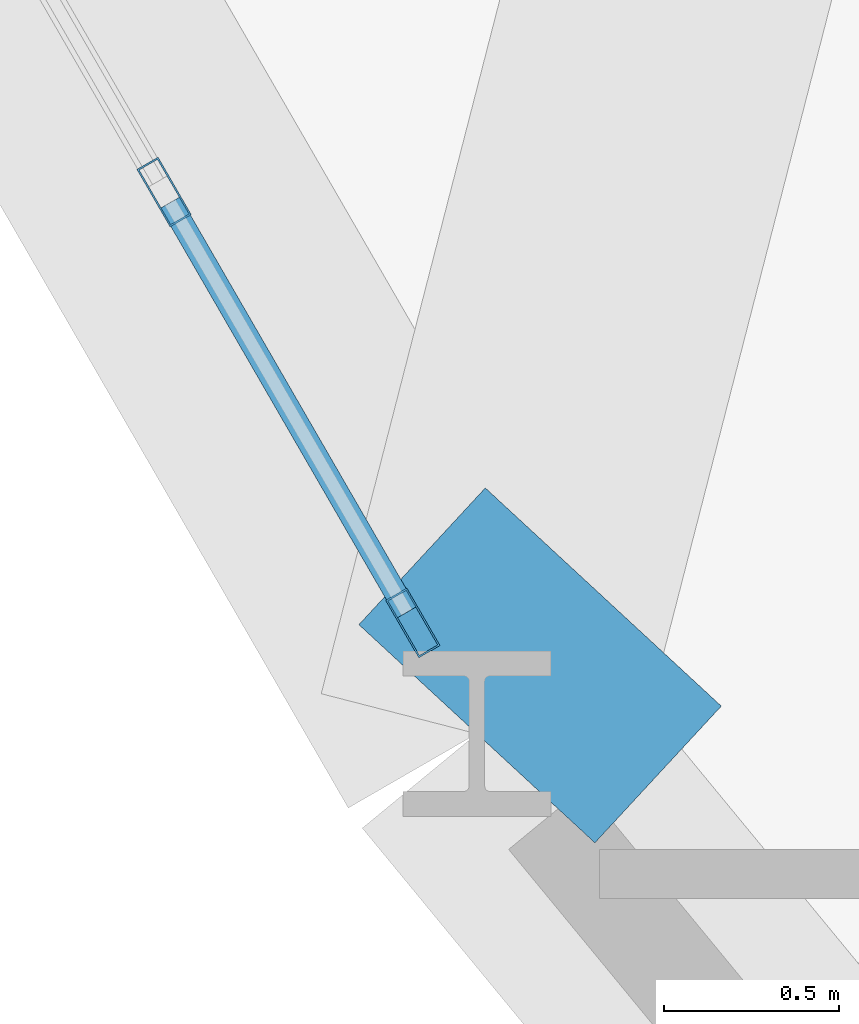
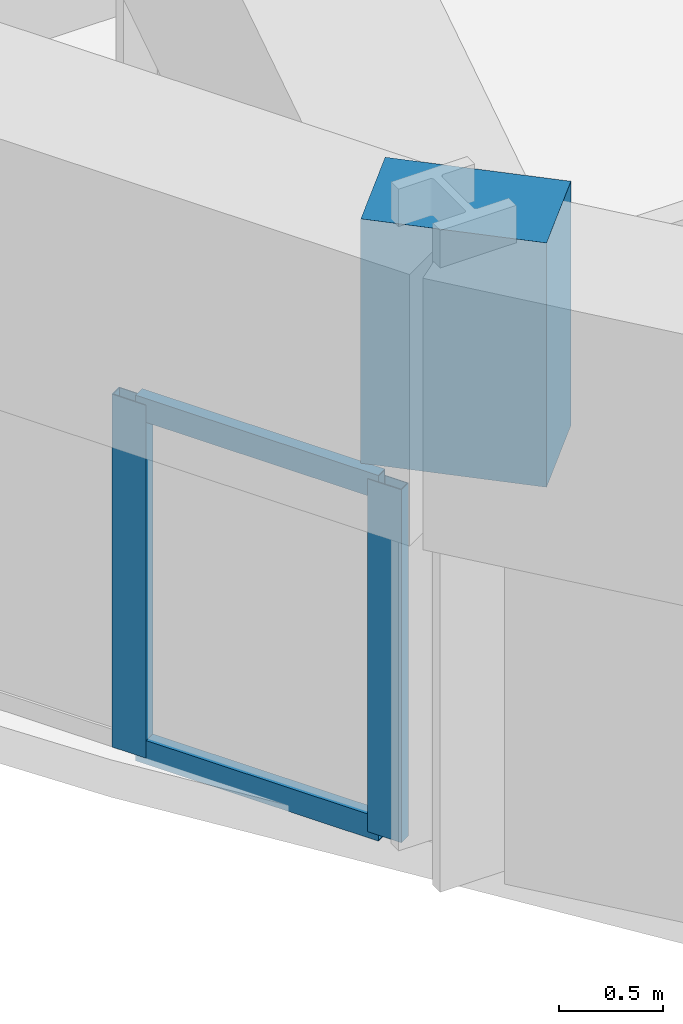
# One storey, part 2 of 18: 4 members, 1 beam, 1 element without a shape of its own.
"""IFC4 building model written with IfcOpenShell, lengths in metres."""

from ifc_helpers import new_model, si_unit, derived_unit, direction, frame, origin, origin_2d, place, context, subcontext, project, spatial, rectangle, hollow_rectangle, extrude, source, transform, mapped, material, layer, layer_set, material_profile, profile_set, type_object, element, aggregate, save


model = new_model("IFC4")

# Units and contexts
model_context = context("Model", 3, precision=1e-05, world=origin(), true_north=direction((0.0, 1.0)))
body_context = subcontext(model_context, "Body", "Model", "MODEL_VIEW")
ifc_project = project(units=[si_unit("LENGTHUNIT", "METRE"), si_unit("AREAUNIT", "SQUARE_METRE"), si_unit("VOLUMEUNIT", "CUBIC_METRE"), si_unit("PLANEANGLEUNIT", "RADIAN"), si_unit("MASSUNIT", "GRAM", prefix="KILO"), derived_unit("THERMALTRANSMITTANCEUNIT", [(si_unit("POWERUNIT", "WATT"), 1), (si_unit("LENGTHUNIT", "METRE"), -2), (si_unit("THERMODYNAMICTEMPERATUREUNIT", "KELVIN"), -1)])], contexts=[model_context])

# Site, building, storey
site_placement = place(None, origin())
site = spatial("IfcSite", under=ifc_project, at=site_placement, CompositionType="ELEMENT")
building_placement = place(site_placement, origin())
building = spatial("IfcBuilding", under=site, at=building_placement, Name="Korsvarv Bourse and Concert Hall", CompositionType="ELEMENT")
storey_placement = place(building_placement, frame((0.0, 0.0, 71.699951171875)))
storey = spatial("IfcBuildingStorey", under=building, at=storey_placement, Name="L17", CompositionType="ELEMENT", Elevation=71.699951171875)

# Beam
ifc_material_1 = material(Name="Concrete C50/60", Category="concrete")
ifc_material_profile_1 = material_profile(ifc_material_1, rectangle(XDim=0.919921875, YDim=1.43994140625, at=origin_2d()), Name="RC-BM 920x1440")
ifc_profile_set_1 = profile_set([ifc_material_profile_1], Name="Concrete C50/60")
beam_type = type_object("IfcBeamType", Name="BM-TR-144", PredefinedType="BEAM", material=ifc_profile_set_1)
shared_shape_1 = source(origin(), body_context, "Body", "SweptSolid", [
    extrude(rectangle(XDim=0.919921875, YDim=1.43994140625, at=origin_2d()), origin(), (0.0, 0.0, 1.0), 0.532958984375),
])
beam_placement = place(storey_placement, frame((26.36669921875, 19.206787109375, 2.9599609375), z_axis=(0.678850648625, 0.734276376347, 0.0), x_axis=(-0.734276376347, 0.678850648625, 0.0)))
element("IfcBeam", 1, at=beam_placement, inside=storey, type_object=beam_type, Name="L17 beam B-TR4", PredefinedType="BEAM", context=body_context, shape_type="MappedRepresentation", body=[
    mapped(shared_shape_1, transform((0.0, 0.0, 0.0), scale=1.0)),
])

# Curtain wall, members
ifc_material_2 = material(Name="Anodised aluminium and triple low-E glazing", Category="glass")
ifc_layer = layer(ifc_material_2, 0.219970703125)
ifc_layer_set = layer_set([ifc_layer], Name="Anodised aluminium and triple low-E glazing")
curtain_wall_type = type_object("IfcCurtainWallType", Name="CW-SYS-1", PredefinedType="NOTDEFINED", material=ifc_layer_set)
curtain_wall_placement = place(storey_placement, origin())
curtain_wall = element("IfcCurtainWall", 2, at=curtain_wall_placement, inside=storey, type_object=curtain_wall_type, Name="L17 CW1 curtain wall CW-L17-F07", PredefinedType="NOTDEFINED")
ifc_material_3 = material(Name="Extruded aluminium EN AW-6063 T66", Category="aluminium")
ifc_material_profile_2 = material_profile(ifc_material_3, hollow_rectangle(XDim=0.070068359375, YDim=0.18994140625, WallThickness=0.0048828125, at=origin_2d()), Name="ALU-M 70x190")
ifc_profile_set_2 = profile_set([ifc_material_profile_2], Name="Extruded aluminium EN AW-6063 T66")
member_type_1 = type_object("IfcMemberType", Name="CWM-190", PredefinedType="MULLION", material=ifc_profile_set_2)
shared_shape_2 = source(origin(), body_context, "Body", "SweptSolid", [
    extrude(hollow_rectangle(XDim=0.070068359375, YDim=0.18994140625, WallThickness=0.0048828125, at=origin_2d()), origin(), (0.0, 0.0, 1.0), 2.080078125),
])
member_1_placement = place(storey_placement, frame((25.471435546875, 20.75732421875, 0.0), z_axis=(0.0, 0.0, 1.0), x_axis=(0.86602191759, 0.500006038217, 0.0)))
member_1 = element("IfcMember", 3, at=member_1_placement, type_object=member_type_1, Name="CW1 mullion 10", PredefinedType="MULLION", context=body_context, shape_type="MappedRepresentation", body=[
    mapped(shared_shape_2, transform((0.0, 0.0, 0.0), scale=1.0)),
])
member_2_placement = place(storey_placement, frame((26.183349609375, 19.52392578125, 0.0), z_axis=(0.0, 0.0, 1.0), x_axis=(0.86602191759, 0.500006038217, 0.0)))
member_2 = element("IfcMember", 4, at=member_2_placement, type_object=member_type_1, Name="CW1 mullion 11", PredefinedType="MULLION", context=body_context, shape_type="MappedRepresentation", body=[
    mapped(shared_shape_2, transform((0.0, 0.0, 0.0), scale=1.0)),
])
ifc_material_profile_3 = material_profile(ifc_material_3, hollow_rectangle(XDim=0.06494140625, YDim=0.139892578125, WallThickness=0.00390625, at=origin_2d()), Name="ALU-T 65x140")
ifc_profile_set_3 = profile_set([ifc_material_profile_3], Name="Extruded aluminium EN AW-6063 T66")
member_type_2 = type_object("IfcMemberType", Name="CWT-140", PredefinedType="USERDEFINED", material=ifc_profile_set_3)
shared_shape_3 = source(origin(), body_context, "Body", "SweptSolid", [
    extrude(hollow_rectangle(XDim=0.06494140625, YDim=0.139892578125, WallThickness=0.00390625, at=origin_2d()), origin(), (0.0, 0.0, 1.0), 1.354248046875),
])
member_3_placement = place(storey_placement, frame((25.48876953125, 20.72705078125, 0.032470703125), z_axis=(0.500133409758, -0.865948365922, 0.0), x_axis=(0.865948365922, 0.500133409758, 0.0)))
member_3 = element("IfcMember", 5, at=member_3_placement, type_object=member_type_2, Name="CW1 transom 10.1", ObjectType="TRANSOM", PredefinedType="USERDEFINED", context=body_context, shape_type="MappedRepresentation", body=[
    mapped(shared_shape_3, transform((0.0, 0.0, 0.0), scale=1.0)),
])
member_4_placement = place(storey_placement, frame((25.48876953125, 20.72705078125, 2.047607421875), z_axis=(0.500133409758, -0.865948365922, 0.0), x_axis=(0.865948365922, 0.500133409758, 0.0)))
member_4 = element("IfcMember", 6, at=member_4_placement, type_object=member_type_2, Name="CW1 transom 10.2", ObjectType="TRANSOM", PredefinedType="USERDEFINED", context=body_context, shape_type="MappedRepresentation", body=[
    mapped(shared_shape_3, transform((0.0, 0.0, 0.0), scale=1.0)),
])
aggregate(curtain_wall, [member_1, member_2, member_3, member_4])

save(model, "model.ifc")
